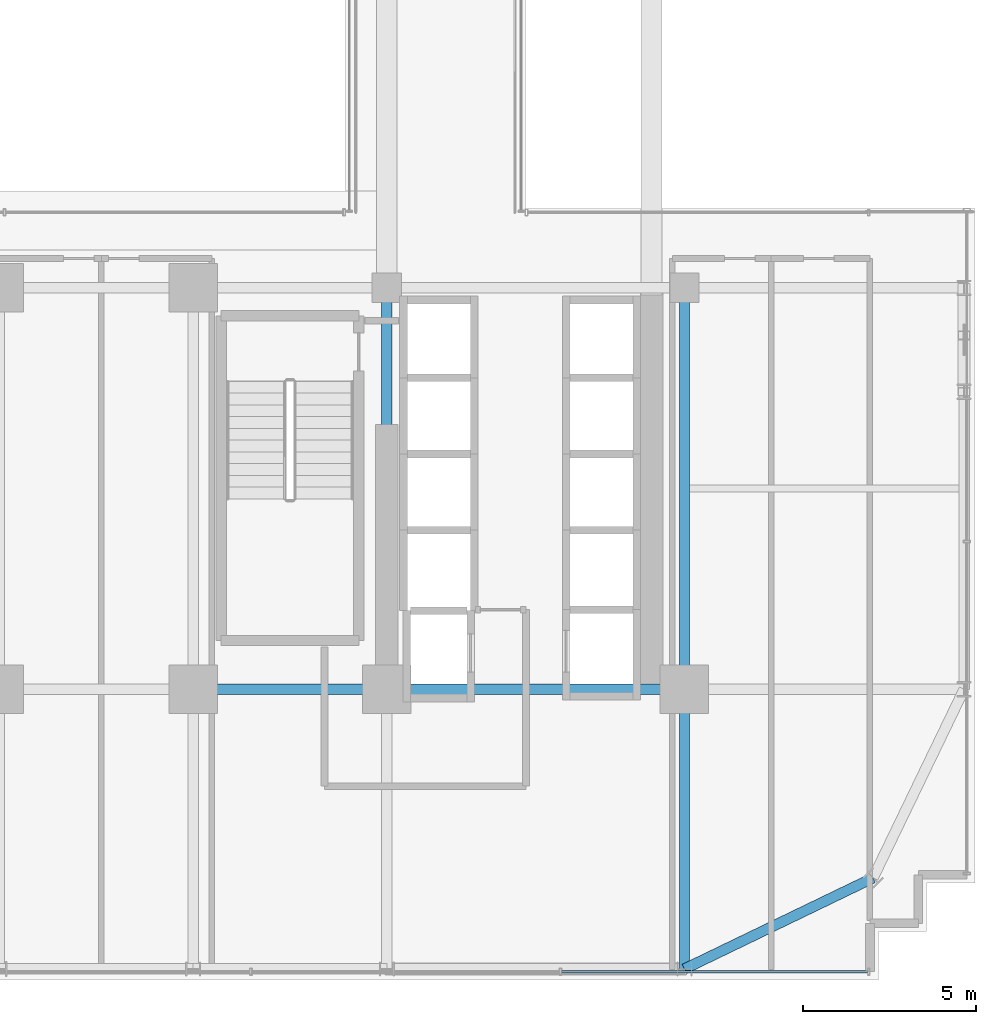
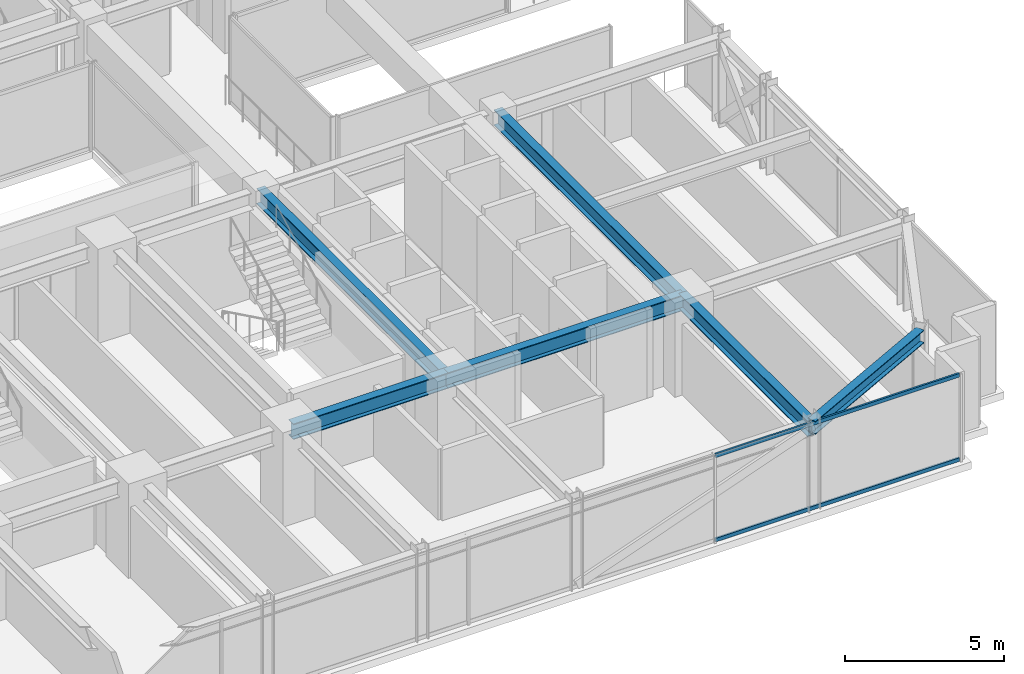
# One storey, part 16 of 42: 6 beams, 2 members, 1 element without a shape of its own.
"""IFC4 building model written with IfcOpenShell, lengths in metres."""

from ifc_helpers import new_model, si_unit, direction, frame, origin, origin_2d, place, context, subcontext, project, spatial, hollow_rectangle, i_section, extrude, source, transform, mapped, material, material_profile, profile_set, type_object, element, aggregate, save


model = new_model("IFC4")

# Units and contexts
model_context = context("Model", 3, precision=1e-05, world=origin(), true_north=direction((0.0, 1.0)))
body_context = subcontext(model_context, "Body", "Model", "MODEL_VIEW")
ifc_project = project(units=[si_unit("LENGTHUNIT", "METRE"), si_unit("AREAUNIT", "SQUARE_METRE"), si_unit("VOLUMEUNIT", "CUBIC_METRE"), si_unit("PLANEANGLEUNIT", "RADIAN"), si_unit("MASSUNIT", "GRAM", prefix="KILO")], contexts=[model_context])

# Site, building, storey
site_placement = place(None, origin())
site = spatial("IfcSite", under=ifc_project, at=site_placement, CompositionType="ELEMENT")
building_placement = place(site_placement, origin())
building = spatial("IfcBuilding", under=site, at=building_placement, Name="Nahalor Promenade Grand Hotel", CompositionType="ELEMENT")
storey_placement = place(building_placement, frame((0.0, 0.0, 61.60009765625)))
storey = spatial("IfcBuildingStorey", under=building, at=storey_placement, Name="L14", CompositionType="ELEMENT", Elevation=61.60009765625)

# Beams
ifc_material_1 = material(Name="Steel S355JR", Category="steel")
ifc_material_profile_1 = material_profile(ifc_material_1, i_section(OverallWidth=0.3, OverallDepth=0.6, WebThickness=0.0155, FlangeThickness=0.03, at=origin_2d()), Name="HEB 600")
ifc_profile_set_1 = profile_set([ifc_material_profile_1], Name="Steel S355JR")
beam_type_1 = type_object("IfcBeamType", Name="Beam-Girder-HEB600", PredefinedType="BEAM", material=ifc_profile_set_1)
shared_shape_1 = source(origin(), body_context, "Body", "SweptSolid", [
    extrude(i_section(OverallWidth=0.3, OverallDepth=0.6, WebThickness=0.0155, FlangeThickness=0.03, at=origin_2d()), origin(), (0.0, 0.0, 1.0), 8.60009765625),
])
beam_1_placement = place(storey_placement, frame((8.39990234375, -17.0, 3.06982421875), z_axis=(1.0, 0.0, 0.0), x_axis=(0.0, 1.0, 0.0)))
element("IfcBeam", 1, at=beam_1_placement, inside=storey, type_object=beam_type_1, Name="BM-L14-GX-0-5", PredefinedType="BEAM", context=body_context, shape_type="MappedRepresentation", body=[
    mapped(shared_shape_1, transform((0.0, 0.0, 0.0), scale=1.0)),
])
shared_shape_2 = source(origin(), body_context, "Body", "SweptSolid", [
    extrude(i_section(OverallWidth=0.3, OverallDepth=0.6, WebThickness=0.0155, FlangeThickness=0.03, at=origin_2d()), origin(), (0.0, 0.0, 1.0), 5.599853515625),
])
beam_2_placement = place(storey_placement, frame((2.800048828125, -17.0, 3.06982421875), z_axis=(1.0, 0.0, 0.0), x_axis=(0.0, 1.0, 0.0)))
element("IfcBeam", 2, at=beam_2_placement, inside=storey, type_object=beam_type_1, Name="BM-L14-GX-0-4", PredefinedType="BEAM", context=body_context, shape_type="MappedRepresentation", body=[
    mapped(shared_shape_2, transform((0.0, 0.0, 0.0), scale=1.0)),
])
shared_shape_3 = source(origin(), body_context, "Body", "SweptSolid", [
    extrude(i_section(OverallWidth=0.3, OverallDepth=0.6, WebThickness=0.0155, FlangeThickness=0.03, at=origin_2d()), origin(), (0.0, 0.0, 1.0), 11.60009765625),
])
for number, where, z_axis, x_axis, name in (
    (3, (8.39990234375, -17.0, 3.06982421875), (0.0, 1.0, 0.0), (-1.0, 0.0, 0.0), "BM-L14-GY-4-1"),
    (4, (17.0, -17.0, 3.06982421875), (0.0, 1.0, 0.0), (-1.0, 0.0, 0.0), "BM-L14-GY-5-1"),
):
    element("IfcBeam", number, at=place(storey_placement, frame(where, z_axis=z_axis, x_axis=x_axis)), inside=storey, type_object=beam_type_1, Name=name, PredefinedType="BEAM", context=body_context, shape_type="MappedRepresentation", body=[
        mapped(shared_shape_3, transform((0.0, 0.0, 0.0), scale=1.0)),
    ])
shared_shape_4 = source(origin(), body_context, "Body", "SweptSolid", [
    extrude(i_section(OverallWidth=0.3, OverallDepth=0.6, WebThickness=0.0155, FlangeThickness=0.03, at=origin_2d()), origin(), (0.0, 0.0, 1.0), 8.080078125),
])
beam_3_placement = place(storey_placement, frame((17.0, -25.080078125, 3.06982421875), z_axis=(0.0, 1.0, 0.0), x_axis=(-1.0, 0.0, 0.0)))
element("IfcBeam", 5, at=beam_3_placement, inside=storey, type_object=beam_type_1, Name="BM-L14-GY-5-0", PredefinedType="BEAM", context=body_context, shape_type="MappedRepresentation", body=[
    mapped(shared_shape_4, transform((0.0, 0.0, 0.0), scale=1.0)),
])
ifc_material_profile_2 = material_profile(ifc_material_1, i_section(OverallWidth=0.3, OverallDepth=0.5, WebThickness=0.0145, FlangeThickness=0.028, at=origin_2d()), Name="HEB 500")
ifc_profile_set_2 = profile_set([ifc_material_profile_2], Name="Steel S355JR")
beam_type_2 = type_object("IfcBeamType", Name="Beam-Spandrel-HEB500", PredefinedType="SPANDREL", material=ifc_profile_set_2)
shared_shape_5 = source(origin(), body_context, "Body", "SweptSolid", [
    extrude(i_section(OverallWidth=0.3, OverallDepth=0.5, WebThickness=0.0145, FlangeThickness=0.028, at=origin_2d()), origin(), (0.0, 0.0, 1.0), 6.051513671875),
])
beam_4_placement = place(storey_placement, frame((17.0, -25.080078125, 3.119873046875), z_axis=(0.900608818852, 0.434630596492, 0.0), x_axis=(-0.434630596492, 0.900608818852, 0.0)))
element("IfcBeam", 6, at=beam_4_placement, inside=storey, type_object=beam_type_2, Name="BM-L14-SPC-SE-1", PredefinedType="SPANDREL", context=body_context, shape_type="MappedRepresentation", body=[
    mapped(shared_shape_5, transform((0.0, 0.0, 0.0), scale=1.0)),
])

# Curtain wall, members
ifc_material_2 = material(Name="Anodised Bronze Aluminium EN AW-6063 T6", Category="aluminium")
curtain_wall_type = type_object("IfcCurtainWallType", Name="CW3 Elliptical-Void Collar Unitised Curtain Wall", PredefinedType="USERDEFINED", material=ifc_material_2)
curtain_wall_placement = place(storey_placement, origin())
curtain_wall = element("IfcCurtainWall", 7, at=curtain_wall_placement, inside=storey, type_object=curtain_wall_type, Name="L14 Curtain Wall CW-L14-S-1", ObjectType="UNITISED_CURTAIN_WALL", PredefinedType="USERDEFINED")
ifc_material_profile_3 = material_profile(ifc_material_2, hollow_rectangle(XDim=0.07, YDim=0.14, WallThickness=0.004, at=origin_2d()), Name="CWT 70x140x4")
ifc_profile_set_3 = profile_set([ifc_material_profile_3], Name="Anodised Bronze Aluminium EN AW-6063 T6")
member_type = type_object("IfcMemberType", Name="CWT3 Void Collar Transom 70x140", PredefinedType="USERDEFINED", material=ifc_profile_set_3)
shared_shape_6 = source(origin(), body_context, "Body", "SweptSolid", [
    extrude(hollow_rectangle(XDim=0.07, YDim=0.14, WallThickness=0.004, at=origin_2d()), origin(), (0.0, 0.0, 1.0), 8.839111328125),
])
member_1_placement = place(storey_placement, frame((13.450927734375, -25.159912109375, 0.06982421875), z_axis=(1.0, 0.0, 0.0), x_axis=(0.0, 1.0, 0.0)))
member_1 = element("IfcMember", 8, at=member_1_placement, type_object=member_type, Name="CW-L14-S-1 Transom 4-0", ObjectType="TRANSOM", PredefinedType="USERDEFINED", context=body_context, shape_type="MappedRepresentation", body=[
    mapped(shared_shape_6, transform((0.0, 0.0, 0.0), scale=1.0)),
])
member_2_placement = place(storey_placement, frame((13.450927734375, -25.159912109375, 3.2998046875), z_axis=(1.0, 0.0, 0.0), x_axis=(0.0, 1.0, 0.0)))
member_2 = element("IfcMember", 9, at=member_2_placement, type_object=member_type, Name="CW-L14-S-1 Transom 4-1", ObjectType="TRANSOM", PredefinedType="USERDEFINED", context=body_context, shape_type="MappedRepresentation", body=[
    mapped(shared_shape_6, transform((0.0, 0.0, 0.0), scale=1.0)),
])
aggregate(curtain_wall, [member_1, member_2])

save(model, "model.ifc")
